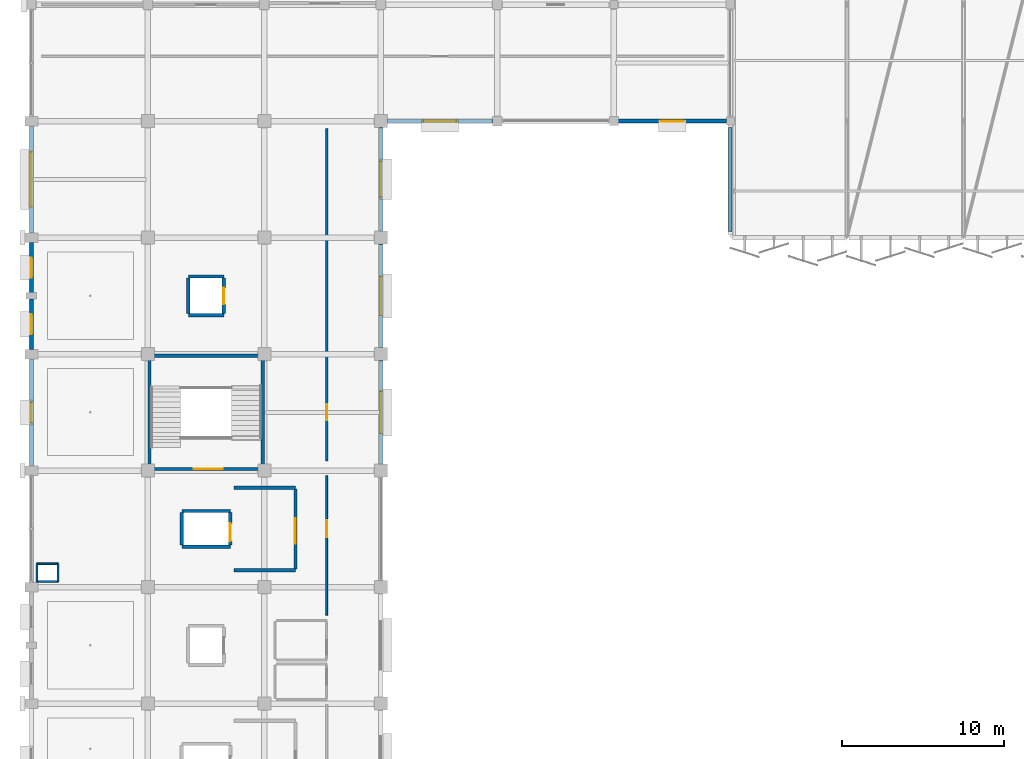
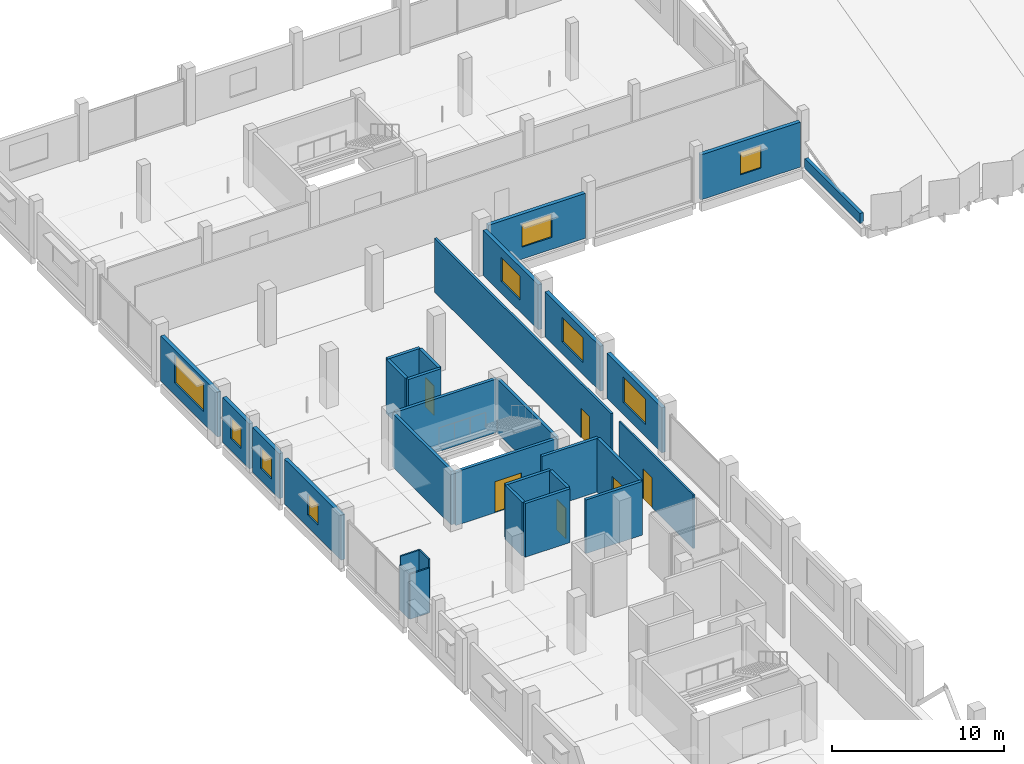
# One storey, part 82 of 108: 31 walls, 9 windows, 6 doors, 15 openings.
"""IFC4 building model written with IfcOpenShell, lengths in metres."""

from ifc_helpers import new_model, si_unit, direction, frame, frame_2d, origin, place, context, subcontext, project, spatial, rectangle, extrude, material, layer, layer_set, type_object, element, fill, save


model = new_model("IFC4")

# Units and contexts
model_context = context("Model", 3, precision=1e-05, world=origin(), true_north=direction((0.0, 1.0)))
body_context = subcontext(model_context, "Body", "Model", "MODEL_VIEW")
ifc_project = project(units=[si_unit("LENGTHUNIT", "METRE"), si_unit("AREAUNIT", "SQUARE_METRE"), si_unit("VOLUMEUNIT", "CUBIC_METRE"), si_unit("PLANEANGLEUNIT", "RADIAN"), si_unit("MASSUNIT", "GRAM", prefix="KILO")], contexts=[model_context])

# Site, building, storey
site_placement = place(None, origin())
site = spatial("IfcSite", under=ifc_project, at=site_placement, CompositionType="ELEMENT")
building_placement = place(site_placement, origin())
building = spatial("IfcBuilding", under=site, at=building_placement, Name="Kangsadwip Square Police Headquarters", CompositionType="ELEMENT")
storey_placement = place(building_placement, frame((0.0, 0.0, 9.449951171875)))
storey = spatial("IfcBuildingStorey", under=building, at=storey_placement, Name="L02", CompositionType="ELEMENT", Elevation=9.449951171875)

# Wall, opening, door
ifc_material_1 = material(Name="Fire-rated double gypsum board acoustic stud partition", Category="masonry")
ifc_layer_1 = layer(ifc_material_1, 0.1201171875)
ifc_layer_set_1 = layer_set([ifc_layer_1], Name="Fire-rated double gypsum board acoustic stud partition")
wall_type_1 = type_object("IfcWallType", Name="AcousticPartition120", PredefinedType="PARTITIONING", material=ifc_layer_set_1)
wall_1_placement = place(storey_placement, frame((18.25, 63.080078125, 0.0), z_axis=(0.0, 0.0, 1.0), x_axis=(0.0, 1.0, 0.0)))
wall_1 = element("IfcWall", 1, at=wall_1_placement, inside=storey, type_object=wall_type_1, Name="Interior Wall WI-L02-0780", PredefinedType="PARTITIONING", context=body_context, shape_type="SweptSolid", body=[
    extrude(rectangle(XDim=8.619873046875, YDim=0.1201171875, at=frame_2d((4.31005859375, 0.0))), origin(), (0.0, 0.0, 1.0), 3.81005859375),
])
opening_1_placement = place(wall_1_placement, frame((4.794921875, 0.0, 0.0)))
opening_1 = element("IfcOpeningElement", 2, at=opening_1_placement, cuts=wall_1, Name="Opening ID-10A", PredefinedType="OPENING", context=body_context, shape_type="SweptSolid", body=[
    extrude(rectangle(XDim=1.050048828125, YDim=2.14990234375, at=frame_2d((0.52490234375, 1.074951171875))), frame((0.0, 0.070068359375, 0.0), z_axis=(0.0, -1.0, 0.0), x_axis=(1.0, 0.0, 0.0)), (0.0, 0.0, 1.0), 0.14013671875),
])
ifc_material_2 = material(Name="Solid-core seasoned teak hardwood architectural door", Category="wood")
door_type_1 = type_object("IfcDoorType", Name="OfficeDoor1050x2150", OperationType="NOTDEFINED", PredefinedType="DOOR", material=ifc_material_2)
door_1_placement = place(opening_1_placement, origin())
door_1 = element("IfcDoor", 3, at=door_1_placement, inside=storey, type_object=door_type_1, Name="Interior Door ID-L02-0192", OperationType="SINGLE_SWING_RIGHT", OverallHeight=2.14990234375, OverallWidth=1.050048828125, PredefinedType="DOOR", context=body_context, shape_type="SweptSolid", body=[
    extrude(rectangle(XDim=1.050048828125, YDim=2.14990234375, at=frame_2d((0.52490234375, 1.074951171875))), frame((0.0, 0.02490234375, 0.0), z_axis=(0.0, -1.0, 0.0), x_axis=(1.0, 0.0, 0.0)), (0.0, 0.0, 1.0), 0.050048828125),
])
fill(opening_1, door_1)

ifc_material_3 = material(Name="Autoclaved aerated concrete blockwork masonry", Category="masonry")
ifc_layer_2 = layer(ifc_material_3, 0.14990234375)
ifc_layer_set_2 = layer_set([ifc_layer_2], Name="Autoclaved aerated concrete blockwork masonry")
wall_type_2 = type_object("IfcWallType", Name="BlockPartition150", PredefinedType="PARTITIONING", material=ifc_layer_set_2)
wall_2_placement = place(storey_placement, frame((18.25, 72.60009765625, 0.0), z_axis=(0.0, 0.0, 1.0), x_axis=(0.0, 1.0, 0.0)))
wall_2 = element("IfcWall", 4, at=wall_2_placement, inside=storey, type_object=wall_type_2, Name="Interior Wall WI-L02-0782", PredefinedType="PARTITIONING", context=body_context, shape_type="SweptSolid", body=[
    extrude(rectangle(XDim=20.5498046875, YDim=0.14990234375, at=frame_2d((10.27490234375, 0.0))), origin(), (0.0, 0.0, 1.0), 3.81005859375),
])
opening_2_placement = place(wall_2_placement, frame((2.506103515625, 0.0, 0.0)))
opening_2 = element("IfcOpeningElement", 5, at=opening_2_placement, cuts=wall_2, Name="Opening ID-10B", PredefinedType="OPENING", context=body_context, shape_type="SweptSolid", body=[
    extrude(rectangle(XDim=1.0, YDim=2.10009765625, at=frame_2d((0.5, 1.050048828125))), frame((0.0, 0.0849609375, 0.0), z_axis=(0.0, -1.0, 0.0), x_axis=(1.0, 0.0, 0.0)), (0.0, 0.0, 1.0), 0.169921875),
])
ifc_material_4 = material(Name="Solid-core seasoned teak hardwood architectural door", Category="wood")
door_type_2 = type_object("IfcDoorType", Name="OfficeDoor1000x2100", OperationType="NOTDEFINED", PredefinedType="DOOR", material=ifc_material_4)
door_2_placement = place(opening_2_placement, origin())
door_2 = element("IfcDoor", 6, at=door_2_placement, inside=storey, type_object=door_type_2, Name="Interior Door ID-L02-0193", OperationType="SINGLE_SWING_LEFT", OverallHeight=2.10009765625, OverallWidth=1.0, PredefinedType="DOOR", context=body_context, shape_type="SweptSolid", body=[
    extrude(rectangle(XDim=1.0, YDim=2.10009765625, at=frame_2d((0.5, 1.050048828125))), frame((0.0, 0.02490234375, 0.0), z_axis=(0.0, -1.0, 0.0), x_axis=(1.0, 0.0, 0.0)), (0.0, 0.0, 1.0), 0.050048828125),
])
fill(opening_2, door_2)

# Wall, opening, window
ifc_material_5 = material(Name="Glazed architectural terracotta masonry rainscreen", Category="masonry")
ifc_layer_3 = layer(ifc_material_5, 0.25)
ifc_layer_set_3 = layer_set([ifc_layer_3], Name="Glazed architectural terracotta masonry rainscreen")
wall_type_3 = type_object("IfcWallType", Name="ChicagoTerracottaWall250", PredefinedType="SOLIDWALL", material=ifc_layer_set_3)
wall_3_placement = place(storey_placement, frame((21.9951171875, 93.60009765625, 0.0), z_axis=(0.0, 0.0, 1.0), x_axis=(1.0, 0.0, 0.0)))
wall_3 = element("IfcWall", 7, at=wall_3_placement, inside=storey, type_object=wall_type_3, Name="Exterior Wall WE-L02-308", PredefinedType="SOLIDWALL", context=body_context, shape_type="SweptSolid", body=[
    extrude(rectangle(XDim=6.509765625, YDim=0.25, at=frame_2d((3.2548828125, 0.0))), origin(), (0.0, 0.0, 1.0), 3.195068359375),
])
opening_3_placement = place(wall_3_placement, frame((2.2548828125, 0.0, 0.85009765625)))
opening_3 = element("IfcOpeningElement", 8, at=opening_3_placement, cuts=wall_3, Name="Opening WN-09", PredefinedType="OPENING", context=body_context, shape_type="SweptSolid", body=[
    extrude(rectangle(XDim=2.0, YDim=1.64990234375, at=frame_2d((1.0, 0.824951171875))), frame((0.0, 0.135009765625, 0.0), z_axis=(0.0, -1.0, 0.0), x_axis=(1.0, 0.0, 0.0)), (0.0, 0.0, 1.0), 0.27001953125),
])
ifc_material_6 = material(Name="Double-glazed solar-control low-E safety glass", Category="glass")
window_type_1 = type_object("IfcWindowType", Name="ChicagoDoubleMullWin2000x1650", PartitioningType="DOUBLE_PANEL_VERTICAL", PredefinedType="WINDOW", material=ifc_material_6)
window_1_placement = place(opening_3_placement, origin())
window_1 = element("IfcWindow", 9, at=window_1_placement, inside=storey, type_object=window_type_1, Name="Window WN-L02-0161", OverallHeight=1.64990234375, OverallWidth=2.0, PartitioningType="SINGLE_PANEL", PredefinedType="WINDOW", context=body_context, shape_type="SweptSolid", body=[
    extrude(rectangle(XDim=2.0, YDim=1.64990234375, at=frame_2d((1.0, 0.824951171875))), frame((0.0, 0.030029296875, 0.0), z_axis=(0.0, -1.0, 0.0), x_axis=(1.0, 0.0, 0.0)), (0.0, 0.0, 1.0), 0.06005859375),
])
fill(opening_3, window_1)

wall_4_placement = place(storey_placement, frame((36.27001953125, 93.60009765625, 0.0), z_axis=(0.0, 0.0, 1.0), x_axis=(1.0, 0.0, 0.0)))
wall_4 = element("IfcWall", 10, at=wall_4_placement, inside=storey, type_object=wall_type_3, Name="Exterior Wall WE-L02-309", PredefinedType="SOLIDWALL", context=body_context, shape_type="SweptSolid", body=[
    extrude(rectangle(XDim=6.68505859375, YDim=0.25, at=frame_2d((3.342529296875, 0.0))), origin(), (0.0, 0.0, 1.0), 3.195068359375),
])
opening_4_placement = place(wall_4_placement, frame((2.642578125, 0.0, 0.85009765625)))
opening_4 = element("IfcOpeningElement", 11, at=opening_4_placement, cuts=wall_4, Name="Opening WN-13", PredefinedType="OPENING", context=body_context, shape_type="SweptSolid", body=[
    extrude(rectangle(XDim=1.39990234375, YDim=1.60009765625, at=frame_2d((0.699951171875, 0.800048828125))), frame((0.0, 0.135009765625, 0.0), z_axis=(0.0, -1.0, 0.0), x_axis=(1.0, 0.0, 0.0)), (0.0, 0.0, 1.0), 0.27001953125),
])
ifc_material_7 = material(Name="Double-glazed solar-control low-E safety glass", Category="glass")
window_type_2 = type_object("IfcWindowType", Name="OfficeCasementWin1400x1600", PartitioningType="SINGLE_PANEL", PredefinedType="WINDOW", material=ifc_material_7)
window_2_placement = place(opening_4_placement, origin())
window_2 = element("IfcWindow", 12, at=window_2_placement, inside=storey, type_object=window_type_2, Name="Window WN-L02-0162", OverallHeight=1.60009765625, OverallWidth=1.39990234375, PartitioningType="SINGLE_PANEL", PredefinedType="WINDOW", context=body_context, shape_type="SweptSolid", body=[
    extrude(rectangle(XDim=1.39990234375, YDim=1.60009765625, at=frame_2d((0.699951171875, 0.800048828125))), frame((0.0, 0.030029296875, 0.0), z_axis=(0.0, -1.0, 0.0), x_axis=(1.0, 0.0, 0.0)), (0.0, 0.0, 1.0), 0.06005859375),
])
fill(opening_4, window_2)

wall_5_placement = place(storey_placement, frame((0.0, 72.294921875, 0.0), z_axis=(0.0, 0.0, 1.0), x_axis=(0.0, 1.0, 0.0)))
wall_5 = element("IfcWall", 13, at=wall_5_placement, inside=storey, type_object=wall_type_3, Name="Exterior Wall WE-L02-324", PredefinedType="SOLIDWALL", context=body_context, shape_type="SweptSolid", body=[
    extrude(rectangle(XDim=6.610107421875, YDim=0.25, at=frame_2d((3.30517578125, 0.0))), origin(), (0.0, 0.0, 1.0), 3.195068359375),
])
opening_5_placement = place(wall_5_placement, frame((2.679931640625, 0.0, 0.85009765625)))
opening_5 = element("IfcOpeningElement", 14, at=opening_5_placement, cuts=wall_5, Name="Opening WN-14", PredefinedType="OPENING", context=body_context, shape_type="SweptSolid", body=[
    extrude(rectangle(XDim=1.25, YDim=1.5, at=frame_2d((0.625, 0.75))), frame((0.0, 0.135009765625, 0.0), z_axis=(0.0, -1.0, 0.0), x_axis=(1.0, 0.0, 0.0)), (0.0, 0.0, 1.0), 0.27001953125),
])
ifc_material_8 = material(Name="Double-glazed solar-control low-E safety glass", Category="glass")
window_type_3 = type_object("IfcWindowType", Name="OfficeCasementWin1250x1500", PartitioningType="SINGLE_PANEL", PredefinedType="WINDOW", material=ifc_material_8)
window_3_placement = place(opening_5_placement, origin())
window_3 = element("IfcWindow", 15, at=window_3_placement, inside=storey, type_object=window_type_3, Name="Window WN-L02-0177", OverallHeight=1.5, OverallWidth=1.25, PartitioningType="SINGLE_PANEL", PredefinedType="WINDOW", context=body_context, shape_type="SweptSolid", body=[
    extrude(rectangle(XDim=1.25, YDim=1.5, at=frame_2d((0.625, 0.75))), frame((0.0, 0.030029296875, 0.0), z_axis=(0.0, -1.0, 0.0), x_axis=(1.0, 0.0, 0.0)), (0.0, 0.0, 1.0), 0.06005859375),
])
fill(opening_5, window_3)

wall_6_placement = place(storey_placement, frame((0.0, 79.4951171875, 0.0), z_axis=(0.0, 0.0, 1.0), x_axis=(0.0, 1.0, 0.0)))
wall_6 = element("IfcWall", 16, at=wall_6_placement, inside=storey, type_object=wall_type_3, Name="Exterior Wall WE-L02-325", PredefinedType="SOLIDWALL", context=body_context, shape_type="SweptSolid", body=[
    extrude(rectangle(XDim=3.10986328125, YDim=0.25, at=frame_2d((1.554931640625, 0.0))), origin(), (0.0, 0.0, 1.0), 3.195068359375),
])
opening_6_placement = place(wall_6_placement, frame((0.929931640625, 0.0, 0.85009765625)))
opening_6 = element("IfcOpeningElement", 17, at=opening_6_placement, cuts=wall_6, Name="Opening WN-14", PredefinedType="OPENING", context=body_context, shape_type="SweptSolid", body=[
    extrude(rectangle(XDim=1.25, YDim=1.5, at=frame_2d((0.625, 0.75))), frame((0.0, 0.135009765625, 0.0), z_axis=(0.0, -1.0, 0.0), x_axis=(1.0, 0.0, 0.0)), (0.0, 0.0, 1.0), 0.27001953125),
])
window_4_placement = place(opening_6_placement, origin())
window_4 = element("IfcWindow", 18, at=window_4_placement, inside=storey, type_object=window_type_3, Name="Window WN-L02-0178", OverallHeight=1.5, OverallWidth=1.25, PartitioningType="SINGLE_PANEL", PredefinedType="WINDOW", context=body_context, shape_type="SweptSolid", body=[
    extrude(rectangle(XDim=1.25, YDim=1.5, at=frame_2d((0.625, 0.75))), frame((0.0, 0.030029296875, 0.0), z_axis=(0.0, -1.0, 0.0), x_axis=(1.0, 0.0, 0.0)), (0.0, 0.0, 1.0), 0.06005859375),
])
fill(opening_6, window_4)

wall_7_placement = place(storey_placement, frame((0.0, 82.9951171875, 0.0), z_axis=(0.0, 0.0, 1.0), x_axis=(0.0, 1.0, 0.0)))
wall_7 = element("IfcWall", 19, at=wall_7_placement, inside=storey, type_object=wall_type_3, Name="Exterior Wall WE-L02-326", PredefinedType="SOLIDWALL", context=body_context, shape_type="SweptSolid", body=[
    extrude(rectangle(XDim=3.10986328125, YDim=0.25, at=frame_2d((1.554931640625, 0.0))), origin(), (0.0, 0.0, 1.0), 3.195068359375),
])
opening_7_placement = place(wall_7_placement, frame((0.929931640625, 0.0, 0.85009765625)))
opening_7 = element("IfcOpeningElement", 20, at=opening_7_placement, cuts=wall_7, Name="Opening WN-14", PredefinedType="OPENING", context=body_context, shape_type="SweptSolid", body=[
    extrude(rectangle(XDim=1.25, YDim=1.5, at=frame_2d((0.625, 0.75))), frame((0.0, 0.135009765625, 0.0), z_axis=(0.0, -1.0, 0.0), x_axis=(1.0, 0.0, 0.0)), (0.0, 0.0, 1.0), 0.27001953125),
])
window_5_placement = place(opening_7_placement, origin())
window_5 = element("IfcWindow", 21, at=window_5_placement, inside=storey, type_object=window_type_3, Name="Window WN-L02-0179", OverallHeight=1.5, OverallWidth=1.25, PartitioningType="SINGLE_PANEL", PredefinedType="WINDOW", context=body_context, shape_type="SweptSolid", body=[
    extrude(rectangle(XDim=1.25, YDim=1.5, at=frame_2d((0.625, 0.75))), frame((0.0, 0.030029296875, 0.0), z_axis=(0.0, -1.0, 0.0), x_axis=(1.0, 0.0, 0.0)), (0.0, 0.0, 1.0), 0.06005859375),
])
fill(opening_7, window_5)

wall_8_placement = place(storey_placement, frame((0.0, 86.695068359375, 0.0), z_axis=(0.0, 0.0, 1.0), x_axis=(0.0, 1.0, 0.0)))
wall_8 = element("IfcWall", 22, at=wall_8_placement, inside=storey, type_object=wall_type_3, Name="Exterior Wall WE-L02-327", PredefinedType="SOLIDWALL", context=body_context, shape_type="SweptSolid", body=[
    extrude(rectangle(XDim=6.60986328125, YDim=0.25, at=frame_2d((3.304931640625, 0.0))), origin(), (0.0, 0.0, 1.0), 3.195068359375),
])
opening_8_placement = place(wall_8_placement, frame((1.60498046875, 0.0, 0.85009765625)))
opening_8 = element("IfcOpeningElement", 23, at=opening_8_placement, cuts=wall_8, Name="Opening WN-02", PredefinedType="OPENING", context=body_context, shape_type="SweptSolid", body=[
    extrude(rectangle(XDim=3.39990234375, YDim=2.0, at=frame_2d((1.699951171875, 1.0))), frame((0.0, 0.135009765625, 0.0), z_axis=(0.0, -1.0, 0.0), x_axis=(1.0, 0.0, 0.0)), (0.0, 0.0, 1.0), 0.27001953125),
])
ifc_material_9 = material(Name="Double-glazed solar-control low-E safety glass", Category="glass")
window_type_4 = type_object("IfcWindowType", Name="ChicagoTripartiteWin3400x2000", PartitioningType="TRIPLE_PANEL_HORIZONTAL", PredefinedType="WINDOW", material=ifc_material_9)
window_6_placement = place(opening_8_placement, origin())
window_6 = element("IfcWindow", 24, at=window_6_placement, inside=storey, type_object=window_type_4, Name="Window WN-L02-0180", OverallHeight=2.0, OverallWidth=3.39990234375, PartitioningType="SINGLE_PANEL", PredefinedType="WINDOW", context=body_context, shape_type="SweptSolid", body=[
    extrude(rectangle(XDim=3.39990234375, YDim=2.0, at=frame_2d((1.699951171875, 1.0))), frame((0.0, 0.030029296875, 0.0), z_axis=(0.0, -1.0, 0.0), x_axis=(1.0, 0.0, 0.0)), (0.0, 0.0, 1.0), 0.06005859375),
])
fill(opening_8, window_6)

wall_9_placement = place(storey_placement, frame((21.60009765625, 72.39501953125, 0.0), z_axis=(0.0, 0.0, 1.0), x_axis=(0.0, 1.0, 0.0)))
wall_9 = element("IfcWall", 25, at=wall_9_placement, inside=storey, type_object=wall_type_3, Name="Exterior Wall WE-L02-335", PredefinedType="SOLIDWALL", context=body_context, shape_type="SweptSolid", body=[
    extrude(rectangle(XDim=6.409912109375, YDim=0.25, at=frame_2d((3.205078125, 0.0))), origin(), (0.0, 0.0, 1.0), 3.195068359375),
])
opening_9_placement = place(wall_9_placement, frame((1.905029296875, 0.0, 0.85009765625)))
opening_9 = element("IfcOpeningElement", 26, at=opening_9_placement, cuts=wall_9, Name="Opening WN-06", PredefinedType="OPENING", context=body_context, shape_type="SweptSolid", body=[
    extrude(rectangle(XDim=2.60009765625, YDim=1.800048828125, at=frame_2d((1.300048828125, 0.89990234375))), frame((0.0, 0.135009765625, 0.0), z_axis=(0.0, -1.0, 0.0), x_axis=(1.0, 0.0, 0.0)), (0.0, 0.0, 1.0), 0.27001953125),
])
ifc_material_10 = material(Name="Double-glazed solar-control low-E safety glass", Category="glass")
window_type_5 = type_object("IfcWindowType", Name="ChicagoDoubleMullWin2600x1800", PartitioningType="DOUBLE_PANEL_VERTICAL", PredefinedType="WINDOW", material=ifc_material_10)
window_7_placement = place(opening_9_placement, origin())
window_7 = element("IfcWindow", 27, at=window_7_placement, inside=storey, type_object=window_type_5, Name="Window WN-L02-0188", OverallHeight=1.800048828125, OverallWidth=2.60009765625, PartitioningType="SINGLE_PANEL", PredefinedType="WINDOW", context=body_context, shape_type="SweptSolid", body=[
    extrude(rectangle(XDim=2.60009765625, YDim=1.800048828125, at=frame_2d((1.300048828125, 0.89990234375))), frame((0.0, 0.030029296875, 0.0), z_axis=(0.0, -1.0, 0.0), x_axis=(1.0, 0.0, 0.0)), (0.0, 0.0, 1.0), 0.06005859375),
])
fill(opening_9, window_7)

wall_10_placement = place(storey_placement, frame((21.60009765625, 79.594970703125, 0.0), z_axis=(0.0, 0.0, 1.0), x_axis=(0.0, 1.0, 0.0)))
wall_10 = element("IfcWall", 28, at=wall_10_placement, inside=storey, type_object=wall_type_3, Name="Exterior Wall WE-L02-336", PredefinedType="SOLIDWALL", context=body_context, shape_type="SweptSolid", body=[
    extrude(rectangle(XDim=6.409912109375, YDim=0.25, at=frame_2d((3.205078125, 0.0))), origin(), (0.0, 0.0, 1.0), 3.195068359375),
])
opening_10_placement = place(wall_10_placement, frame((2.0048828125, 0.0, 0.85009765625)))
opening_10 = element("IfcOpeningElement", 29, at=opening_10_placement, cuts=wall_10, Name="Opening WN-07", PredefinedType="OPENING", context=body_context, shape_type="SweptSolid", body=[
    extrude(rectangle(XDim=2.39990234375, YDim=1.75, at=frame_2d((1.199951171875, 0.875))), frame((0.0, 0.135009765625, 0.0), z_axis=(0.0, -1.0, 0.0), x_axis=(1.0, 0.0, 0.0)), (0.0, 0.0, 1.0), 0.27001953125),
])
ifc_material_11 = material(Name="Double-glazed solar-control low-E safety glass", Category="glass")
window_type_6 = type_object("IfcWindowType", Name="ChicagoDoubleMullWin2400x1750", PartitioningType="DOUBLE_PANEL_VERTICAL", PredefinedType="WINDOW", material=ifc_material_11)
window_8_placement = place(opening_10_placement, origin())
window_8 = element("IfcWindow", 30, at=window_8_placement, inside=storey, type_object=window_type_6, Name="Window WN-L02-0189", OverallHeight=1.75, OverallWidth=2.39990234375, PartitioningType="SINGLE_PANEL", PredefinedType="WINDOW", context=body_context, shape_type="SweptSolid", body=[
    extrude(rectangle(XDim=2.39990234375, YDim=1.75, at=frame_2d((1.199951171875, 0.875))), frame((0.0, 0.030029296875, 0.0), z_axis=(0.0, -1.0, 0.0), x_axis=(1.0, 0.0, 0.0)), (0.0, 0.0, 1.0), 0.06005859375),
])
fill(opening_10, window_8)

wall_11_placement = place(storey_placement, frame((21.60009765625, 86.794921875, 0.0), z_axis=(0.0, 0.0, 1.0), x_axis=(0.0, 1.0, 0.0)))
wall_11 = element("IfcWall", 31, at=wall_11_placement, inside=storey, type_object=wall_type_3, Name="Exterior Wall WE-L02-337", PredefinedType="SOLIDWALL", context=body_context, shape_type="SweptSolid", body=[
    extrude(rectangle(XDim=6.41015625, YDim=0.25, at=frame_2d((3.205078125, 0.0))), origin(), (0.0, 0.0, 1.0), 3.195068359375),
])
opening_11_placement = place(wall_11_placement, frame((2.10498046875, 0.0, 0.85009765625)))
opening_11 = element("IfcOpeningElement", 32, at=opening_11_placement, cuts=wall_11, Name="Opening WN-08", PredefinedType="OPENING", context=body_context, shape_type="SweptSolid", body=[
    extrude(rectangle(XDim=2.199951171875, YDim=1.699951171875, at=frame_2d((1.10009765625, 0.85009765625))), frame((0.0, 0.135009765625, 0.0), z_axis=(0.0, -1.0, 0.0), x_axis=(1.0, 0.0, 0.0)), (0.0, 0.0, 1.0), 0.27001953125),
])
ifc_material_12 = material(Name="Double-glazed solar-control low-E safety glass", Category="glass")
window_type_7 = type_object("IfcWindowType", Name="ChicagoDoubleMullWin2200x1700", PartitioningType="DOUBLE_PANEL_VERTICAL", PredefinedType="WINDOW", material=ifc_material_12)
window_9_placement = place(opening_11_placement, origin())
window_9 = element("IfcWindow", 33, at=window_9_placement, inside=storey, type_object=window_type_7, Name="Window WN-L02-0190", OverallHeight=1.699951171875, OverallWidth=2.199951171875, PartitioningType="SINGLE_PANEL", PredefinedType="WINDOW", context=body_context, shape_type="SweptSolid", body=[
    extrude(rectangle(XDim=2.199951171875, YDim=1.699951171875, at=frame_2d((1.10009765625, 0.85009765625))), frame((0.0, 0.030029296875, 0.0), z_axis=(0.0, -1.0, 0.0), x_axis=(1.0, 0.0, 0.0)), (0.0, 0.0, 1.0), 0.06005859375),
])
fill(opening_11, window_9)

# Wall
ifc_material_13 = material(Name="Autoclaved aerated blockwork with terracotta brick veneer", Category="masonry")
ifc_layer_4 = layer(ifc_material_13, 0.22998046875)
ifc_layer_set_4 = layer_set([ifc_layer_4], Name="Autoclaved aerated blockwork with terracotta brick veneer")
wall_type_4 = type_object("IfcWallType", Name="ClerestoryGableWall230", PredefinedType="SOLIDWALL", material=ifc_layer_set_4)
wall_12_placement = place(storey_placement, frame((43.199951171875, 86.780029296875, 0.0), z_axis=(0.0, 0.0, 1.0), x_axis=(0.0, 1.0, 0.0)))
element("IfcWall", 34, at=wall_12_placement, inside=storey, type_object=wall_type_4, Name="Exterior Wall WE-L02-612", PredefinedType="SOLIDWALL", context=body_context, shape_type="SweptSolid", body=[
    extrude(rectangle(XDim=6.43994140625, YDim=0.22998046875, at=frame_2d((3.219970703125, 0.0))), origin(), (0.0, 0.0, 1.0), 0.705078125),
])

# Wall, opening, door
ifc_material_14 = material(Name="Concrete M40 (40 MPa)", Category="concrete")
ifc_layer_5 = layer(ifc_material_14, 0.199951171875)
ifc_layer_set_5 = layer_set([ifc_layer_5], Name="Concrete M40 (40 MPa)")
wall_type_5 = type_object("IfcWallType", Name="CoreShearWall200", PredefinedType="SHEAR", material=ifc_layer_set_5)
wall_13_placement = place(storey_placement, frame((7.39990234375, 72.10009765625, 0.0), z_axis=(0.0, 0.0, 1.0), x_axis=(1.0, 0.0, 0.0)))
wall_13 = element("IfcWall", 35, at=wall_13_placement, inside=storey, type_object=wall_type_5, Name="Interior Wall WI-L02-0061", PredefinedType="SHEAR", context=body_context, shape_type="SweptSolid", body=[
    extrude(rectangle(XDim=6.800048828125, YDim=0.199951171875, at=frame_2d((3.39990234375, 0.0))), origin(), (0.0, 0.0, 1.0), 3.81005859375),
])
opening_12_placement = place(wall_13_placement, frame((2.632080078125, 0.0, 0.0)))
opening_12 = element("IfcOpeningElement", 36, at=opening_12_placement, cuts=wall_13, Name="Opening FD-18", PredefinedType="OPENING", context=body_context, shape_type="SweptSolid", body=[
    extrude(rectangle(XDim=1.800048828125, YDim=2.199951171875, at=frame_2d((0.89990234375, 1.10009765625))), frame((0.0, 0.10986328125, 0.0), z_axis=(0.0, -1.0, 0.0), x_axis=(1.0, 0.0, 0.0)), (0.0, 0.0, 1.0), 0.219970703125),
])
ifc_material_15 = material(Name="Insulated galvanized steel fire-rated door assembly", Category="steel")
door_type_3 = type_object("IfcDoorType", Name="StairFireDoor1800x2200", OperationType="DOUBLE_DOOR_SINGLE_SWING", PredefinedType="DOOR", material=ifc_material_15)
door_3_placement = place(opening_12_placement, origin())
door_3 = element("IfcDoor", 37, at=door_3_placement, inside=storey, type_object=door_type_3, Name="Interior Door ID-L02-0013", OperationType="DOUBLE_DOOR_SINGLE_SWING", OverallHeight=2.199951171875, OverallWidth=1.800048828125, PredefinedType="DOOR", context=body_context, shape_type="SweptSolid", body=[
    extrude(rectangle(XDim=1.800048828125, YDim=2.199951171875, at=frame_2d((0.89990234375, 1.10009765625))), frame((0.0, 0.02490234375, 0.0), z_axis=(0.0, -1.0, 0.0), x_axis=(1.0, 0.0, 0.0)), (0.0, 0.0, 1.0), 0.050048828125),
])
fill(opening_12, door_3)

# Walls
for number, where, z_axis, x_axis, name in (
    (38, (7.39990234375, 79.10009765625, 0.0), (0.0, 0.0, 1.0), (1.0, 0.0, 0.0), "Interior Wall WI-L02-0062"),
    (39, (7.300048828125, 72.199951171875, 0.0), (0.0, 0.0, 1.0), (0.0, 1.0, 0.0), "Interior Wall WI-L02-0063"),
    (40, (14.300048828125, 72.199951171875, 0.0), (0.0, 0.0, 1.0), (0.0, 1.0, 0.0), "Interior Wall WI-L02-0064"),
):
    element("IfcWall", number, at=place(storey_placement, frame(where, z_axis=z_axis, x_axis=x_axis)), inside=storey, type_object=wall_type_5, Name=name, PredefinedType="SHEAR", context=body_context, shape_type="SweptSolid", body=[
        extrude(rectangle(XDim=6.800048828125, YDim=0.199951171875, at=frame_2d((3.39990234375, 0.0))), origin(), (0.0, 0.0, 1.0), 3.81005859375),
    ])
for number, where, z_axis, x_axis, name in (
    (41, (9.300048828125, 67.300048828125, 0.0), (0.0, 0.0, 1.0), (1.0, 0.0, 0.0), "Interior Wall WI-L02-0283"),
    (42, (9.300048828125, 69.5, 0.0), (0.0, 0.0, 1.0), (1.0, 0.0, 0.0), "Interior Wall WI-L02-0284"),
):
    element("IfcWall", number, at=place(storey_placement, frame(where, z_axis=z_axis, x_axis=x_axis)), inside=storey, type_object=wall_type_5, Name=name, PredefinedType="SHEAR", context=body_context, shape_type="SweptSolid", body=[
        extrude(rectangle(XDim=3.0, YDim=0.199951171875, at=frame_2d((1.5, 0.0))), origin(), (0.0, 0.0, 1.0), 3.81005859375),
    ])
wall_14_placement = place(storey_placement, frame((9.300048828125, 67.39990234375, 0.0), z_axis=(0.0, 0.0, 1.0), x_axis=(0.0, 1.0, 0.0)))
element("IfcWall", 43, at=wall_14_placement, inside=storey, type_object=wall_type_5, Name="Interior Wall WI-L02-0285", PredefinedType="SHEAR", context=body_context, shape_type="SweptSolid", body=[
    extrude(rectangle(XDim=2.0, YDim=0.199951171875, at=frame_2d((1.0, 0.0))), origin(), (0.0, 0.0, 1.0), 3.81005859375),
])

# Wall, opening, door
wall_15_placement = place(storey_placement, frame((12.300048828125, 67.39990234375, 0.0), z_axis=(0.0, 0.0, 1.0), x_axis=(0.0, 1.0, 0.0)))
wall_15 = element("IfcWall", 44, at=wall_15_placement, inside=storey, type_object=wall_type_5, Name="Interior Wall WI-L02-0286", PredefinedType="SHEAR", context=body_context, shape_type="SweptSolid", body=[
    extrude(rectangle(XDim=2.0, YDim=0.199951171875, at=frame_2d((1.0, 0.0))), origin(), (0.0, 0.0, 1.0), 3.81005859375),
])
opening_13_placement = place(wall_15_placement, frame((0.25, 0.0, 0.0)))
opening_13 = element("IfcOpeningElement", 45, at=opening_13_placement, cuts=wall_15, Name="Opening LD-013", PredefinedType="OPENING", context=body_context, shape_type="SweptSolid", body=[
    extrude(rectangle(XDim=1.10009765625, YDim=2.14990234375, at=frame_2d((0.550048828125, 1.074951171875))), frame((0.0, 0.10986328125, 0.0), z_axis=(0.0, -1.0, 0.0), x_axis=(1.0, 0.0, 0.0)), (0.0, 0.0, 1.0), 0.219970703125),
])
ifc_material_16 = material(Name="Brushed stainless steel automatic sliding lift landing door", Category="steel")
door_type_4 = type_object("IfcDoorType", Name="LiftLandingDoor1100x2150", OperationType="DOUBLE_DOOR_SLIDING", PredefinedType="DOOR", material=ifc_material_16)
door_4_placement = place(opening_13_placement, origin())
door_4 = element("IfcDoor", 46, at=door_4_placement, inside=storey, type_object=door_type_4, Name="Interior Door LD-013", OperationType="DOUBLE_DOOR_SLIDING", OverallHeight=2.14990234375, OverallWidth=1.10009765625, PredefinedType="DOOR", context=body_context, shape_type="SweptSolid", body=[
    extrude(rectangle(XDim=1.10009765625, YDim=2.14990234375, at=frame_2d((0.550048828125, 1.074951171875))), frame((0.0, 0.02490234375, 0.0), z_axis=(0.0, -1.0, 0.0), x_axis=(1.0, 0.0, 0.0)), (0.0, 0.0, 1.0), 0.050048828125),
])
fill(opening_13, door_4)

# Walls
for number, where, z_axis, x_axis, name in (
    (47, (9.699951171875, 81.60009765625, 0.0), (0.0, 0.0, 1.0), (1.0, 0.0, 0.0), "Interior Wall WI-L02-0399"),
    (48, (9.699951171875, 84.0, 0.0), (0.0, 0.0, 1.0), (1.0, 0.0, 0.0), "Interior Wall WI-L02-0400"),
    (49, (9.699951171875, 81.699951171875, 0.0), (0.0, 0.0, 1.0), (0.0, 1.0, 0.0), "Interior Wall WI-L02-0401"),
):
    element("IfcWall", number, at=place(storey_placement, frame(where, z_axis=z_axis, x_axis=x_axis)), inside=storey, type_object=wall_type_5, Name=name, PredefinedType="SHEAR", context=body_context, shape_type="SweptSolid", body=[
        extrude(rectangle(XDim=2.199951171875, YDim=0.199951171875, at=frame_2d((1.10009765625, 0.0))), origin(), (0.0, 0.0, 1.0), 3.81005859375),
    ])

# Wall, opening, door
wall_16_placement = place(storey_placement, frame((11.89990234375, 81.699951171875, 0.0), z_axis=(0.0, 0.0, 1.0), x_axis=(0.0, 1.0, 0.0)))
wall_16 = element("IfcWall", 50, at=wall_16_placement, inside=storey, type_object=wall_type_5, Name="Interior Wall WI-L02-0402", PredefinedType="SHEAR", context=body_context, shape_type="SweptSolid", body=[
    extrude(rectangle(XDim=2.199951171875, YDim=0.199951171875, at=frame_2d((1.10009765625, 0.0))), origin(), (0.0, 0.0, 1.0), 3.81005859375),
])
opening_14_placement = place(wall_16_placement, frame((0.60009765625, 0.0, 0.0)))
opening_14 = element("IfcOpeningElement", 51, at=opening_14_placement, cuts=wall_16, Name="Opening LD-039", PredefinedType="OPENING", context=body_context, shape_type="SweptSolid", body=[
    extrude(rectangle(XDim=1.0, YDim=2.10009765625, at=frame_2d((0.5, 1.050048828125))), frame((0.0, 0.10986328125, 0.0), z_axis=(0.0, -1.0, 0.0), x_axis=(1.0, 0.0, 0.0)), (0.0, 0.0, 1.0), 0.219970703125),
])
ifc_material_17 = material(Name="Brushed stainless steel automatic sliding lift landing door", Category="steel")
door_type_5 = type_object("IfcDoorType", Name="LiftLandingDoor1000x2100", OperationType="DOUBLE_DOOR_SLIDING", PredefinedType="DOOR", material=ifc_material_17)
door_5_placement = place(opening_14_placement, origin())
door_5 = element("IfcDoor", 52, at=door_5_placement, inside=storey, type_object=door_type_5, Name="Interior Door LD-039", OperationType="DOUBLE_DOOR_SLIDING", OverallHeight=2.10009765625, OverallWidth=1.0, PredefinedType="DOOR", context=body_context, shape_type="SweptSolid", body=[
    extrude(rectangle(XDim=1.0, YDim=2.10009765625, at=frame_2d((0.5, 1.050048828125))), frame((0.0, 0.02490234375, 0.0), z_axis=(0.0, -1.0, 0.0), x_axis=(1.0, 0.0, 0.0)), (0.0, 0.0, 1.0), 0.050048828125),
])
fill(opening_14, door_5)

ifc_material_18 = material(Name="Concrete M40 (40 MPa)", Category="concrete")
ifc_layer_6 = layer(ifc_material_18, 0.199951171875)
ifc_layer_set_6 = layer_set([ifc_layer_6], Name="Concrete M40 (40 MPa)")
wall_type_6 = type_object("IfcWallType", Name="CustodySecurityWall200", PredefinedType="SOLIDWALL", material=ifc_layer_set_6)
wall_17_placement = place(storey_placement, frame((16.320068359375, 65.929931640625, 0.0), z_axis=(0.0, 0.0, 1.0), x_axis=(0.0, 1.0, 0.0)))
wall_17 = element("IfcWall", 53, at=wall_17_placement, inside=storey, type_object=wall_type_6, Name="Interior Wall WI-L02-0753", PredefinedType="SOLIDWALL", context=body_context, shape_type="SweptSolid", body=[
    extrude(rectangle(XDim=4.940185546875, YDim=0.199951171875, at=frame_2d((2.47021484375, 0.0))), origin(), (0.0, 0.0, 1.0), 3.81005859375),
])
opening_15_placement = place(wall_17_placement, frame((1.541015625, 0.0, 0.0)))
opening_15 = element("IfcOpeningElement", 54, at=opening_15_placement, cuts=wall_17, Name="Opening FD-16", PredefinedType="OPENING", context=body_context, shape_type="SweptSolid", body=[
    extrude(rectangle(XDim=1.60009765625, YDim=2.199951171875, at=frame_2d((0.800048828125, 1.10009765625))), frame((0.0, 0.10986328125, 0.0), z_axis=(0.0, -1.0, 0.0), x_axis=(1.0, 0.0, 0.0)), (0.0, 0.0, 1.0), 0.219970703125),
])
ifc_material_19 = material(Name="Insulated galvanized steel fire-rated door assembly", Category="steel")
door_type_6 = type_object("IfcDoorType", Name="FfLobbyFireDoor1600x2200", OperationType="DOUBLE_DOOR_SINGLE_SWING", PredefinedType="DOOR", material=ifc_material_19)
door_6_placement = place(opening_15_placement, origin())
door_6 = element("IfcDoor", 55, at=door_6_placement, inside=storey, type_object=door_type_6, Name="Interior Door ID-L02-0179", OperationType="DOUBLE_DOOR_SINGLE_SWING", OverallHeight=2.199951171875, OverallWidth=1.60009765625, PredefinedType="DOOR", context=body_context, shape_type="SweptSolid", body=[
    extrude(rectangle(XDim=1.60009765625, YDim=2.199951171875, at=frame_2d((0.800048828125, 1.10009765625))), frame((0.0, 0.02490234375, 0.0), z_axis=(0.0, -1.0, 0.0), x_axis=(1.0, 0.0, 0.0)), (0.0, 0.0, 1.0), 0.050048828125),
])
fill(opening_15, door_6)

# Walls
for number, where, z_axis, x_axis, name in (
    (56, (12.5400390625, 65.85009765625, 0.0), (0.0, 0.0, 1.0), (1.0, 0.0, 0.0), "Interior Wall WI-L02-0754"),
    (57, (12.5400390625, 70.949951171875, 0.0), (0.0, 0.0, 1.0), (1.0, 0.0, 0.0), "Interior Wall WI-L02-0755"),
):
    element("IfcWall", number, at=place(storey_placement, frame(where, z_axis=z_axis, x_axis=x_axis)), inside=storey, type_object=wall_type_6, Name=name, PredefinedType="SOLIDWALL", context=body_context, shape_type="SweptSolid", body=[
        extrude(rectangle(XDim=3.780029296875, YDim=0.199951171875, at=frame_2d((1.89013671875, 0.0))), origin(), (0.0, 0.0, 1.0), 3.81005859375),
    ])
ifc_material_20 = material(Name="Autoclaved aerated concrete blockwork masonry", Category="masonry")
ifc_layer_7 = layer(ifc_material_20, 0.10009765625)
ifc_layer_set_7 = layer_set([ifc_layer_7], Name="Autoclaved aerated concrete blockwork masonry")
wall_type_7 = type_object("IfcWallType", Name="WetWallPartition100", PredefinedType="PARTITIONING", material=ifc_layer_set_7)
wall_18_placement = place(storey_placement, frame((0.35009765625, 65.14990234375, 0.0), z_axis=(0.0, 0.0, 1.0), x_axis=(1.0, 0.0, 0.0)))
element("IfcWall", 58, at=wall_18_placement, inside=storey, type_object=wall_type_7, Name="Interior Wall WI-L02-0555", PredefinedType="PARTITIONING", context=body_context, shape_type="SweptSolid", body=[
    extrude(rectangle(XDim=1.2998046875, YDim=0.10009765625, at=frame_2d((0.64990234375, 0.0))), origin(), (0.0, 0.0, 1.0), 3.199951171875),
])
wall_19_placement = place(storey_placement, frame((0.35009765625, 66.25, 0.0), z_axis=(0.0, 0.0, 1.0), x_axis=(1.0, 0.0, 0.0)))
element("IfcWall", 59, at=wall_19_placement, inside=storey, type_object=wall_type_7, Name="Interior Wall WI-L02-0556", PredefinedType="PARTITIONING", context=body_context, shape_type="SweptSolid", body=[
    extrude(rectangle(XDim=1.2998046875, YDim=0.10009765625, at=frame_2d((0.64990234375, 0.0))), origin(), (0.0, 0.0, 1.0), 3.81005859375),
])
wall_20_placement = place(storey_placement, frame((0.35009765625, 65.14990234375, 0.0), z_axis=(0.0, 0.0, 1.0), x_axis=(0.0, 1.0, 0.0)))
element("IfcWall", 60, at=wall_20_placement, inside=storey, type_object=wall_type_7, Name="Interior Wall WI-L02-0557", PredefinedType="PARTITIONING", context=body_context, shape_type="SweptSolid", body=[
    extrude(rectangle(XDim=1.10009765625, YDim=0.10009765625, at=frame_2d((0.550048828125, 0.0))), origin(), (0.0, 0.0, 1.0), 3.199951171875),
])
wall_21_placement = place(storey_placement, frame((1.64990234375, 65.14990234375, 0.0), z_axis=(0.0, 0.0, 1.0), x_axis=(0.0, 1.0, 0.0)))
element("IfcWall", 61, at=wall_21_placement, inside=storey, type_object=wall_type_7, Name="Interior Wall WI-L02-0558", PredefinedType="PARTITIONING", context=body_context, shape_type="SweptSolid", body=[
    extrude(rectangle(XDim=1.10009765625, YDim=0.10009765625, at=frame_2d((0.550048828125, 0.0))), origin(), (0.0, 0.0, 1.0), 3.81005859375),
])

save(model, "model.ifc")
